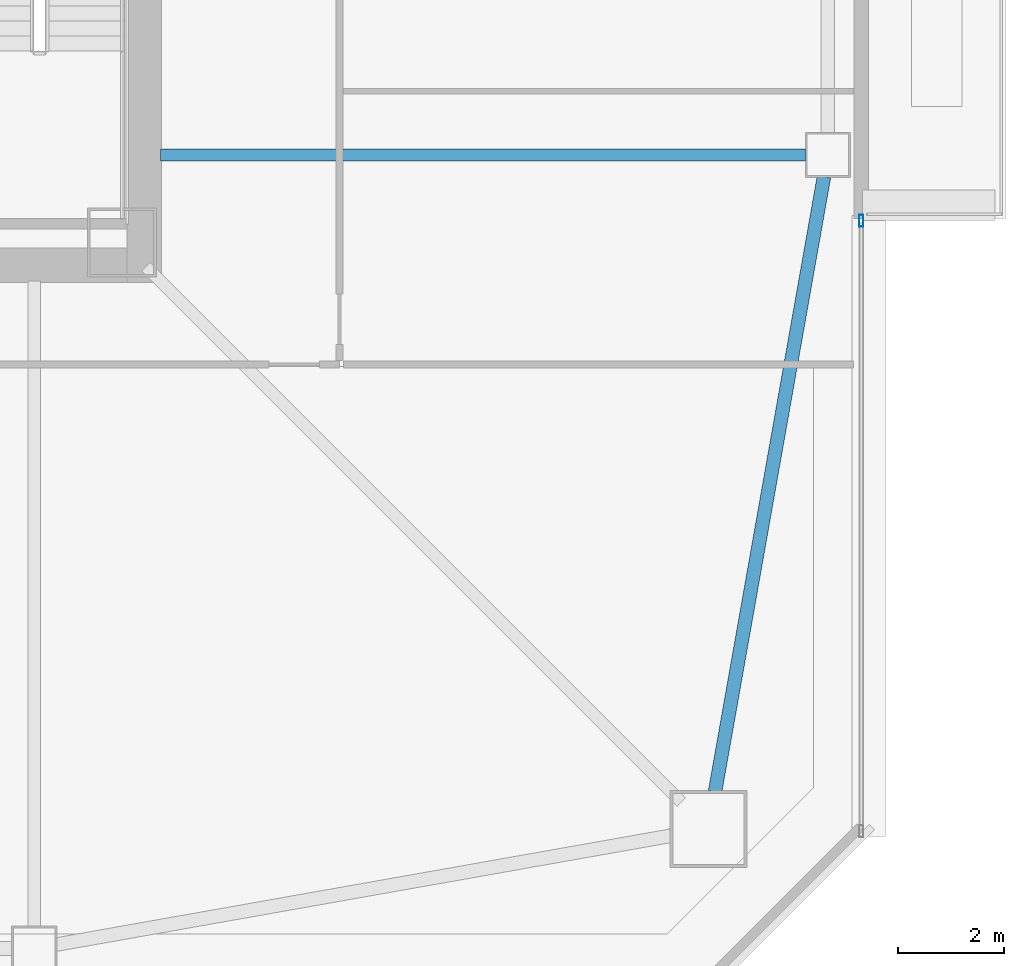
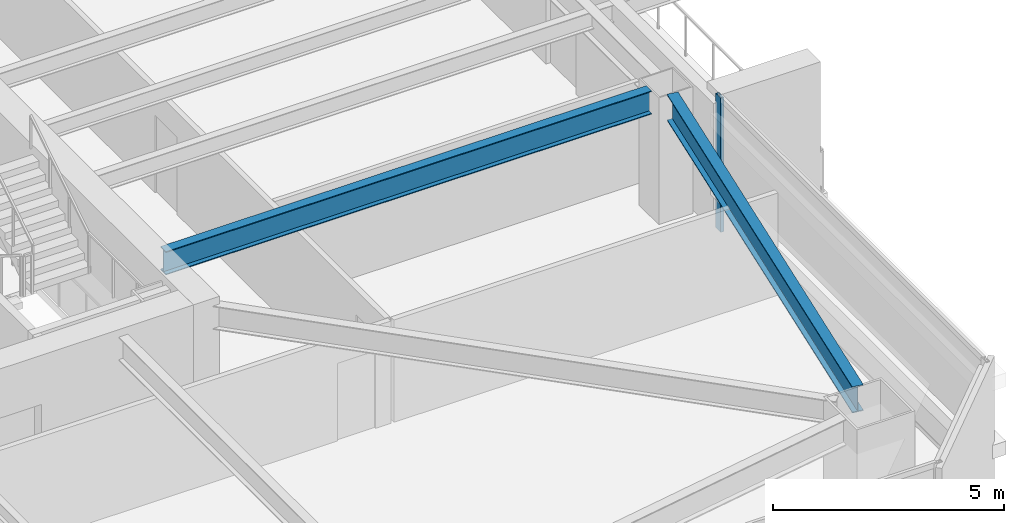
# One storey, part 9 of 46: 2 beams, 1 member, 1 element without a shape of its own.
"""IFC4 building model written with IfcOpenShell, lengths in metres."""

from ifc_helpers import new_model, si_unit, direction, frame, origin, origin_2d, place, context, subcontext, project, spatial, hollow_rectangle, i_section, extrude, material, material_profile, profile_set, type_object, element, aggregate, save


model = new_model("IFC4")

# Units and contexts
model_context = context("Model", 3, precision=1e-05, world=origin(), true_north=direction((0.0, 1.0)))
body_context = subcontext(model_context, "Body", "Model", "MODEL_VIEW")
ifc_project = project(units=[si_unit("LENGTHUNIT", "METRE"), si_unit("AREAUNIT", "SQUARE_METRE"), si_unit("VOLUMEUNIT", "CUBIC_METRE"), si_unit("PLANEANGLEUNIT", "RADIAN"), si_unit("MASSUNIT", "GRAM", prefix="KILO")], contexts=[model_context])

# Site, building, storey
site_placement = place(None, origin())
site = spatial("IfcSite", under=ifc_project, at=site_placement, CompositionType="ELEMENT")
building_placement = place(site_placement, origin())
building = spatial("IfcBuilding", under=site, at=building_placement, Name="Tashvorn Skyway Center", CompositionType="ELEMENT")
storey_placement = place(building_placement, frame((0.0, 0.0, 99.14990234375)))
storey = spatial("IfcBuildingStorey", under=building, at=storey_placement, Name="L26", CompositionType="ELEMENT", Elevation=99.14990234375)

# Beams
ifc_material_1 = material(Name="Steel ASTM A992 Grade 50", Category="steel")
ifc_material_profile_1 = material_profile(ifc_material_1, i_section(OverallWidth=0.22998046875, OverallDepth=0.616943359375, WebThickness=0.01318359375, FlangeThickness=0.022216796875, at=origin_2d()), Name="W24X94")
ifc_profile_set_1 = profile_set([ifc_material_profile_1], Name="Steel ASTM A992 Grade 50")
beam_type_1 = type_object("IfcBeamType", Name="BM-BEAM-W24X94", PredefinedType="BEAM", material=ifc_profile_set_1)
beam_1_placement = place(storey_placement, frame((61.929931640625, 26.60009765625, 3.04150390625), z_axis=(-1.0, 0.0, 0.0), x_axis=(0.0, -1.0, 0.0)))
element("IfcBeam", 1, at=beam_1_placement, inside=storey, type_object=beam_type_1, Name="Tower 1 L26 Primary Floor Girder FC-E1", PredefinedType="BEAM", context=body_context, shape_type="SweptSolid", body=[
    extrude(i_section(OverallWidth=0.22998046875, OverallDepth=0.616943359375, WebThickness=0.01318359375, FlangeThickness=0.022216796875, at=origin_2d()), origin(), (0.0, 0.0, 1.0), 12.14990234375),
])
ifc_material_profile_2 = material_profile(ifc_material_1, i_section(OverallWidth=0.256103515625, OverallDepth=0.693115234375, WebThickness=0.014404296875, FlangeThickness=0.023681640625, at=origin_2d()), Name="W27X114")
ifc_profile_set_2 = profile_set([ifc_material_profile_2], Name="Steel ASTM A992 Grade 50")
beam_type_2 = type_object("IfcBeamType", Name="BM-SPANDREL-W27X114", PredefinedType="SPANDREL", material=ifc_profile_set_2)
beam_2_placement = place(storey_placement, frame((60.2255859375, 14.60888671875, 3.003662109375), z_axis=(0.174437966698, 0.98466816531, 0.0), x_axis=(-0.98466816531, 0.174437966698, 0.0)))
element("IfcBeam", 2, at=beam_2_placement, inside=storey, type_object=beam_type_2, Name="Tower 1 L26 Spandrel Beam 04", PredefinedType="SPANDREL", context=body_context, shape_type="SweptSolid", body=[
    extrude(i_section(OverallWidth=0.256103515625, OverallDepth=0.693115234375, WebThickness=0.014404296875, FlangeThickness=0.023681640625, at=origin_2d()), origin(), (0.0, 0.0, 1.0), 11.7578125),
])

# Curtain wall, member
ifc_material_2 = material(Name="Thermally broken bronze-anodized aluminium 6063-T6", Category="aluminium")
curtain_wall_type = type_object("IfcCurtainWallType", Name="CW-CW-Z2", PredefinedType="NOTDEFINED", material=ifc_material_2)
curtain_wall_placement = place(storey_placement, origin())
curtain_wall = element("IfcCurtainWall", 3, at=curtain_wall_placement, inside=storey, type_object=curtain_wall_type, Name="Tower 1 L26 East Curtain Wall R", PredefinedType="NOTDEFINED")
ifc_material_profile_3 = material_profile(ifc_material_2, hollow_rectangle(XDim=0.080078125, YDim=0.219970703125, WallThickness=0.0048828125, at=origin_2d()), Name="ALU-MULL-80x220")
ifc_profile_set_3 = profile_set([ifc_material_profile_3], Name="Thermally broken bronze-anodized aluminium 6063-T6")
member_type = type_object("IfcMemberType", Name="CWM-CW-Z2", PredefinedType="MULLION", material=ifc_profile_set_3)
member_placement = place(storey_placement, frame((62.97998046875, 25.360107421875, 0.0), z_axis=(0.0, 0.0, 1.0), x_axis=(1.0, 0.0, 0.0)))
member = element("IfcMember", 4, at=member_placement, type_object=member_type, Name="CW-Z2 mullion 1", PredefinedType="MULLION", context=body_context, shape_type="SweptSolid", body=[
    extrude(hollow_rectangle(XDim=0.080078125, YDim=0.219970703125, WallThickness=0.0048828125, at=origin_2d()), origin(), (0.0, 0.0, 1.0), 3.550048828125),
])
aggregate(curtain_wall, [member])

save(model, "model.ifc")
